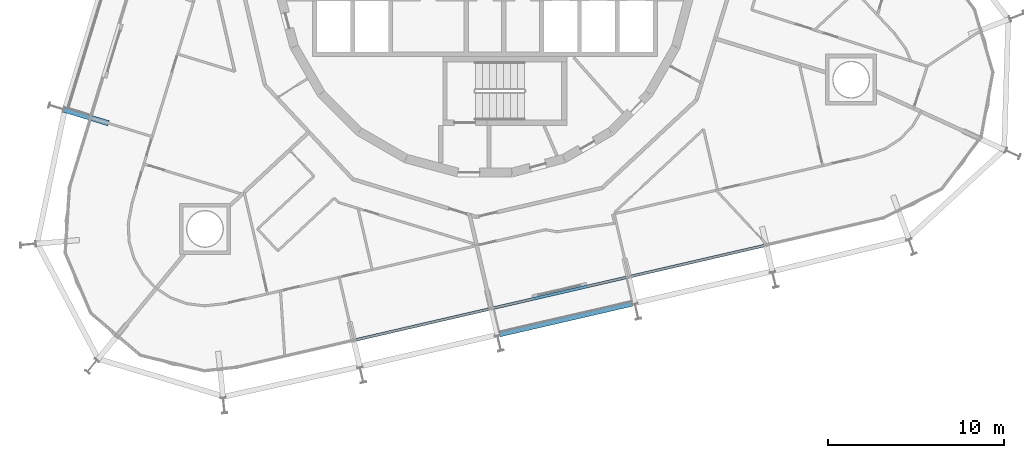
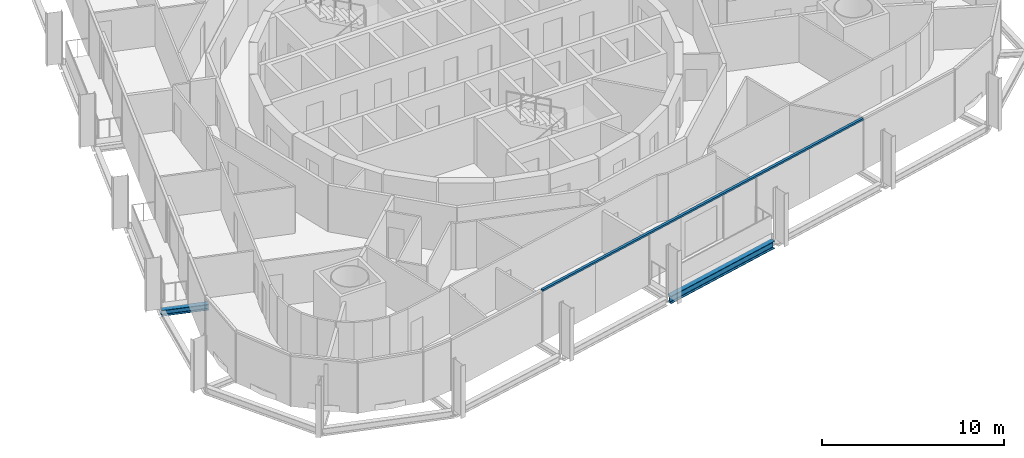
# One storey, part 4 of 18: 2 beams, 1 member, 1 element without a shape of its own.
"""IFC4 building model written with IfcOpenShell, lengths in metres."""

from ifc_helpers import new_model, si_unit, direction, frame, origin, origin_2d, place, context, subcontext, project, spatial, rectangle, i_section, extrude, material, layer, layer_set, material_profile, profile_set, type_object, element, aggregate, save


model = new_model("IFC4")

# Units and contexts
model_context = context("Model", 3, precision=1e-05, world=origin(), true_north=direction((0.0, 1.0)))
body_context = subcontext(model_context, "Body", "Model", "MODEL_VIEW")
ifc_project = project(units=[si_unit("LENGTHUNIT", "METRE"), si_unit("AREAUNIT", "SQUARE_METRE"), si_unit("VOLUMEUNIT", "CUBIC_METRE"), si_unit("PLANEANGLEUNIT", "RADIAN"), si_unit("MASSUNIT", "GRAM", prefix="KILO")], contexts=[model_context])

# Site, building, storey
site_placement = place(None, origin())
site = spatial("IfcSite", under=ifc_project, at=site_placement, CompositionType="ELEMENT")
building_placement = place(site_placement, origin())
building = spatial("IfcBuilding", under=site, at=building_placement, Name="Spindle Arch Residences", CompositionType="ELEMENT")
storey_placement = place(building_placement, frame((0.0, 0.0, 116.89990234375)))
storey = spatial("IfcBuildingStorey", under=building, at=storey_placement, Name="L28", CompositionType="ELEMENT", Elevation=116.89990234375)

# Curtain wall, member
ifc_material_1 = material(Name="Aluminium bronze unitised frame with tinted glass", Category="aluminium")
ifc_layer = layer(ifc_material_1, 0.159912109375)
ifc_layer_set = layer_set([ifc_layer], Name="CW-C typical residential unitised wall")
curtain_wall_type = type_object("IfcCurtainWallType", Name="CW-C typical residential unitised wall", PredefinedType="NOTDEFINED", material=ifc_layer_set)
curtain_wall_placement = place(storey_placement, origin())
curtain_wall = element("IfcCurtainWall", 1, at=curtain_wall_placement, inside=storey, type_object=curtain_wall_type, Name="CW-C L28 run 6", PredefinedType="NOTDEFINED")
ifc_material_2 = material(Name="Aluminium bronze anodised transom", Category="aluminium")
ifc_material_profile_1 = material_profile(ifc_material_2, rectangle(XDim=0.159912109375, YDim=0.1201171875, at=origin_2d()), Name="TR 120x160")
ifc_profile_set_1 = profile_set([ifc_material_profile_1], Name="Aluminium bronze anodised transom")
member_type = type_object("IfcMemberType", Name="Bronze transom 120x160", PredefinedType="USERDEFINED", material=ifc_profile_set_1)
member_placement = place(storey_placement, frame((-7.438232421875, -21.187255859375, 3.06005859375), z_axis=(0.974369784879, 0.224952266747, 0.0), x_axis=(-0.224952266747, 0.974369784879, 0.0)))
member = element("IfcMember", 2, at=member_placement, type_object=member_type, Name="CW-C transom 00", ObjectType="TRANSOM", PredefinedType="USERDEFINED", context=body_context, shape_type="SweptSolid", body=[
    extrude(rectangle(XDim=0.159912109375, YDim=0.1201171875, at=origin_2d()), origin(), (0.0, 0.0, 1.0), 24.02734375),
])
aggregate(curtain_wall, [member])

# Beams
ifc_material_3 = material(Name="Steel S460ML, intumescent coating R 120", Category="steel")
ifc_material_profile_2 = material_profile(ifc_material_3, i_section(OverallWidth=0.300048828125, OverallDepth=0.5, WebThickness=0.014404296875, FlangeThickness=0.028076171875, FilletRadius=0.027099609375, at=origin_2d()), Name="HEB 500")
ifc_profile_set_2 = profile_set([ifc_material_profile_2], Name="Steel S460ML, intumescent coating R 120")
beam_type_1 = type_object("IfcBeamType", Name="Exoskeleton edge beam HEB 500", PredefinedType="BEAM", material=ifc_profile_set_2)
beam_1_placement = place(storey_placement, frame((0.82666015625, -20.849365234375, -0.6298828125), z_axis=(0.974366827477, 0.224965076206, 0.0), x_axis=(-0.224965076206, 0.974366827477, 0.0)))
element("IfcBeam", 3, at=beam_1_placement, inside=storey, type_object=beam_type_1, Name="Exoskeleton edge beam 22", PredefinedType="BEAM", context=body_context, shape_type="SweptSolid", body=[
    extrude(i_section(OverallWidth=0.300048828125, OverallDepth=0.5, WebThickness=0.014404296875, FlangeThickness=0.028076171875, FilletRadius=0.027099609375, at=origin_2d()), origin(), (0.0, 0.0, 1.0), 7.769287109375),
])
ifc_material_4 = material(Name="Steel S460ML, intumescent coating R 120", Category="steel")
ifc_material_profile_3 = material_profile(ifc_material_4, i_section(OverallWidth=0.300048828125, OverallDepth=0.389892578125, WebThickness=0.010986328125, FlangeThickness=0.01904296875, FilletRadius=0.027099609375, at=origin_2d()), Name="HEA 400")
ifc_profile_set_3 = profile_set([ifc_material_profile_3], Name="Steel S460ML, intumescent coating R 120")
beam_type_2 = type_object("IfcBeamType", Name="Floor outrigger HEA 400", PredefinedType="BEAM", material=ifc_profile_set_3)
beam_2_placement = place(storey_placement, frame((-23.947265625, -8.0712890625, -0.574951171875), z_axis=(0.956291475666, -0.292415139091, 0.0), x_axis=(0.292415139091, 0.956291475666, 0.0)))
element("IfcBeam", 4, at=beam_2_placement, inside=storey, type_object=beam_type_2, Name="Floor outrigger 17", PredefinedType="BEAM", context=body_context, shape_type="SweptSolid", body=[
    extrude(i_section(OverallWidth=0.300048828125, OverallDepth=0.389892578125, WebThickness=0.010986328125, FlangeThickness=0.01904296875, FilletRadius=0.027099609375, at=origin_2d()), origin(), (0.0, 0.0, 1.0), 2.64990234375),
])

save(model, "model.ifc")
